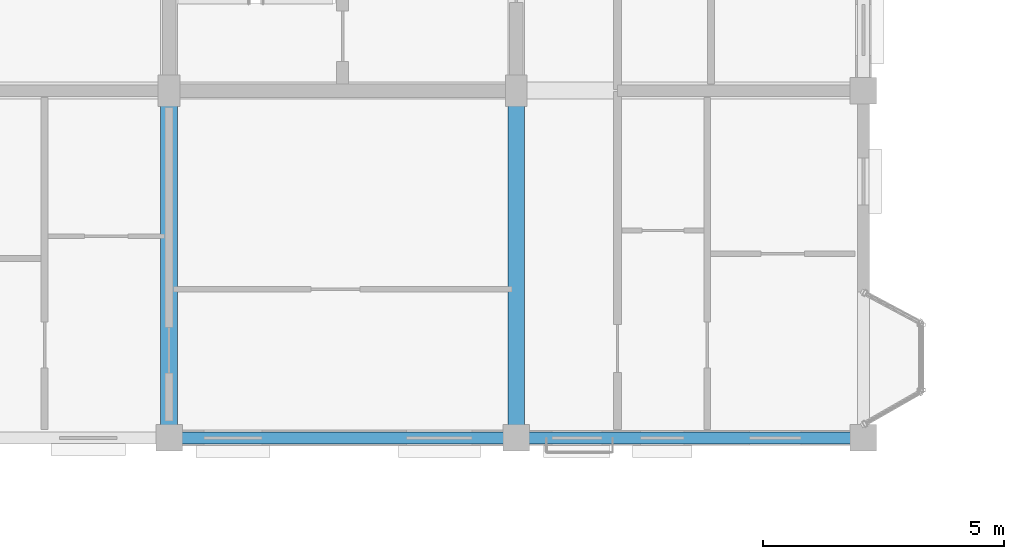
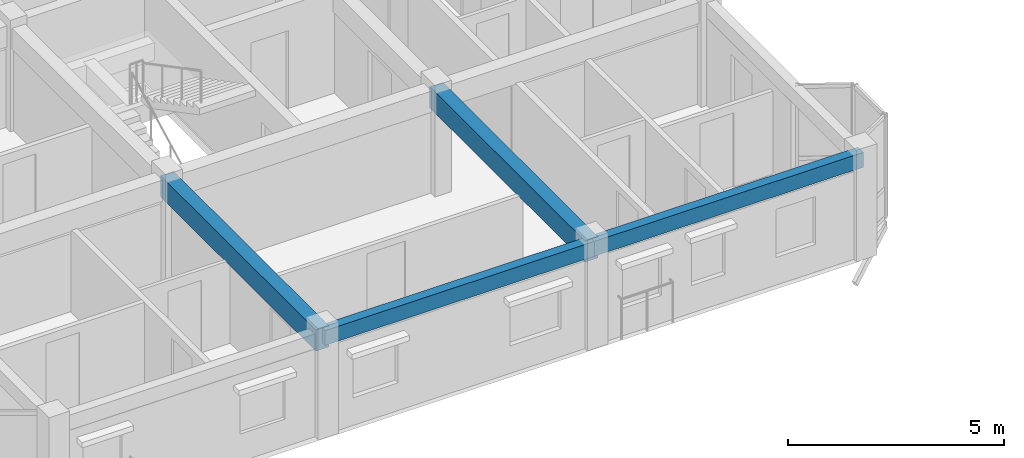
# One storey, part 14 of 75: 4 beams.
"""IFC4 building model written with IfcOpenShell, lengths in metres."""

from ifc_helpers import new_model, si_unit, direction, frame, origin, origin_2d, place, context, subcontext, project, spatial, rectangle, extrude, material, material_profile, profile_set, type_object, element, save


model = new_model("IFC4")

# Units and contexts
model_context = context("Model", 3, precision=1e-05, world=origin(), true_north=direction((0.0, 1.0)))
body_context = subcontext(model_context, "Body", "Model", "MODEL_VIEW")
ifc_project = project(units=[si_unit("LENGTHUNIT", "METRE"), si_unit("AREAUNIT", "SQUARE_METRE"), si_unit("VOLUMEUNIT", "CUBIC_METRE"), si_unit("PLANEANGLEUNIT", "RADIAN"), si_unit("MASSUNIT", "GRAM", prefix="KILO"), si_unit("THERMODYNAMICTEMPERATUREUNIT", "KELVIN"), si_unit("POWERUNIT", "WATT")], contexts=[model_context])

# Site, building, storey
site_placement = place(None, origin())
site = spatial("IfcSite", under=ifc_project, at=site_placement, CompositionType="ELEMENT")
building_placement = place(site_placement, origin())
building = spatial("IfcBuilding", under=site, at=building_placement, Name="Tavuni Mirador Residences", CompositionType="ELEMENT")
storey_placement = place(building_placement, frame((0.0, 0.0, 20.25)))
storey = spatial("IfcBuildingStorey", under=building, at=storey_placement, Name="L06", CompositionType="ELEMENT", Elevation=20.25)

# Beams
ifc_material = material(Name="Precast concrete C40/50", Category="concrete")
ifc_material_profile_1 = material_profile(ifc_material, rectangle(XDim=0.35009765625, YDim=0.60009765625, at=origin_2d()), Name="PC 350x600", Category="concrete")
ifc_profile_set_1 = profile_set([ifc_material_profile_1], Name="Precast concrete C40/50")
beam_type_1 = type_object("IfcBeamType", Name="BT-B600", PredefinedType="BEAM", material=ifc_profile_set_1)
for number, where, z_axis, x_axis, name in (
    (1, (10.800048828125, 64.800048828125, 2.610107421875), (0.0, 1.0, 0.0), (-1.0, 0.0, 0.0), "BMY-BLK-B-L06-01-00"),
    (2, (18.0, 64.800048828125, 2.610107421875), (0.0, 1.0, 0.0), (-1.0, 0.0, 0.0), "BMY-BLK-B-L06-02-00"),
):
    element("IfcBeam", number, at=place(storey_placement, frame(where, z_axis=z_axis, x_axis=x_axis)), inside=storey, type_object=beam_type_1, Name=name, PredefinedType="BEAM", context=body_context, shape_type="SweptSolid", body=[
        extrude(rectangle(XDim=0.35009765625, YDim=0.60009765625, at=origin_2d()), origin(), (0.0, 0.0, 1.0), 7.199951171875),
    ])
ifc_material_profile_2 = material_profile(ifc_material, rectangle(XDim=0.25, YDim=0.419921875, at=origin_2d()), Name="PC 250x420", Category="concrete")
ifc_profile_set_2 = profile_set([ifc_material_profile_2], Name="Precast concrete C40/50")
beam_type_2 = type_object("IfcBeamType", Name="BT-SP420", PredefinedType="SPANDREL", material=ifc_profile_set_2)
for number, where, z_axis, x_axis, name in (
    (3, (10.800048828125, 64.800048828125, 2.699951171875), (1.0, 0.0, 0.0), (0.0, 1.0, 0.0), "BMX-BLK-B-L06-01-00"),
    (4, (18.0, 64.800048828125, 2.699951171875), (1.0, 0.0, 0.0), (0.0, 1.0, 0.0), "BMX-BLK-B-L06-02-00"),
):
    element("IfcBeam", number, at=place(storey_placement, frame(where, z_axis=z_axis, x_axis=x_axis)), inside=storey, type_object=beam_type_2, Name=name, PredefinedType="SPANDREL", context=body_context, shape_type="SweptSolid", body=[
        extrude(rectangle(XDim=0.25, YDim=0.419921875, at=origin_2d()), origin(), (0.0, 0.0, 1.0), 7.199951171875),
    ])

save(model, "model.ifc")
